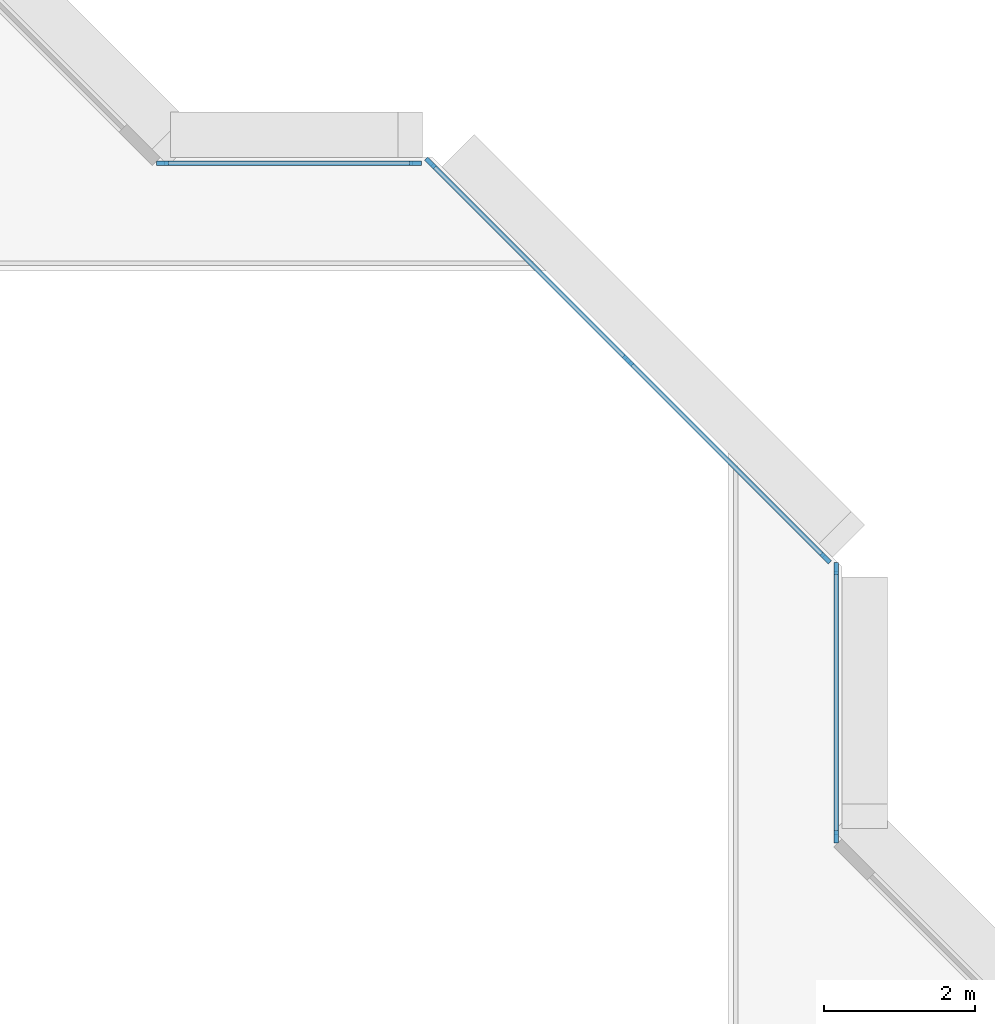
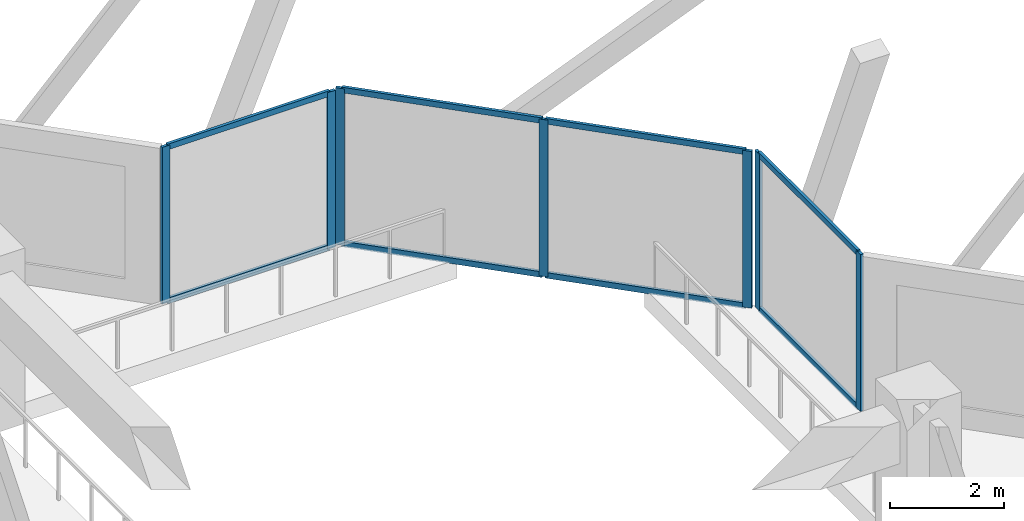
# One storey, part 2 of 15: 15 members, 3 elements without a shape of their own.
"""IFC4 building model written with IfcOpenShell, lengths in metres."""

import ifcopenshell
import ifcopenshell.guid

model = None  # the IFC model being written
_history = None  # IfcOwnerHistory: only IFC2X3 demands one
_inside = {}  # id of a spatial element -> (the spatial element, [elements in it])
_under = {}  # id of a project, library or spatial element -> (it, [spatial elements below it])
_declared = {}  # id of a project -> (the project, [libraries it declares])
_typed = {}  # id of a type object -> (the type object, [elements of that type])
_made_of = {}  # id of a material, layer set ... -> (it, [elements and type objects made of it])


def new_model(schema):
    """Start an empty IFC model of exactly this schema.

    Asked for "IFC4X3", IfcOpenShell would pick the latest addendum, in which some entities
    have other attributes; the version numbers below select the first issue.
    IFC2X3 requires an IfcOwnerHistory on every rooted entity: one is made here for all.
    """
    global model, _history
    if schema == "IFC4X3":
        model = ifcopenshell.file(schema_version=(4, 3, 0, 0))
    else:
        model = ifcopenshell.file(schema=schema)
    _inside.clear()
    _under.clear()
    _declared.clear()
    _typed.clear()
    _made_of.clear()
    _history = None
    if model.schema == "IFC2X3":
        org = make("IfcOrganization", Name="unknown")
        user = make(
            "IfcPersonAndOrganization",
            ThePerson=make("IfcPerson", FamilyName="unknown"),
            TheOrganization=org,
        )
        app = make(
            "IfcApplication",
            ApplicationDeveloper=org,
            Version="unknown",
            ApplicationFullName="unknown",
            ApplicationIdentifier="unknown",
        )
        _history = make(
            "IfcOwnerHistory",
            OwningUser=user,
            OwningApplication=app,
            ChangeAction="ADDED",
            CreationDate=0,
        )
    return model


def make(cls, **values):
    """One entity of the class cls with the attributes given. An attribute that is None is left unset."""
    return model.create_entity(
        cls, **{name: value for name, value in values.items() if value is not None}
    )


def rooted(cls, **values):
    """An entity with a GlobalId (a new one), such as an element, a storey or a relation."""
    return make(cls, GlobalId=ifcopenshell.guid.new(), OwnerHistory=_history, **values)


def si_unit(unit_type, name, prefix=None):
    """IfcSIUnit, for example si_unit("LENGTHUNIT", "METRE", prefix="MILLI")."""
    return make("IfcSIUnit", UnitType=unit_type, Prefix=prefix, Name=name)


def assignment(units):
    """IfcUnitAssignment: the units of a project."""
    return None if units is None else make("IfcUnitAssignment", Units=units)


def point(xyz):
    """IfcCartesianPoint."""
    return None if xyz is None else make("IfcCartesianPoint", Coordinates=xyz)


def direction(xyz):
    """IfcDirection."""
    return None if xyz is None else make("IfcDirection", DirectionRatios=xyz)


def frame(location, z_axis=None, x_axis=None):
    """IfcAxis2Placement3D, a coordinate frame: its origin and axes. An axis left out is left unset."""
    return make(
        "IfcAxis2Placement3D",
        Location=point(location),
        Axis=direction(z_axis),
        RefDirection=direction(x_axis),
    )


def frame_2d(location, x_axis=None):
    """IfcAxis2Placement2D, a coordinate frame in the plane: its origin and x axis."""
    return make(
        "IfcAxis2Placement2D", Location=point(location), RefDirection=direction(x_axis)
    )


def origin():
    """The frame at (0, 0, 0) with its axes left unset."""
    return frame((0.0, 0.0, 0.0))


def origin_2d():
    """The frame at (0, 0) in the plane with its x axis left unset."""
    return frame_2d((0.0, 0.0))


def place(relative_to, where):
    """IfcLocalPlacement: puts the frame where relative to a parent placement (None: the world)."""
    return make(
        "IfcLocalPlacement", PlacementRelTo=relative_to, RelativePlacement=where
    )


def context(
    kind, dimensions, precision=None, world=None, true_north=None, identifier=None
):
    """IfcGeometricRepresentationContext, for example the 3D "Model" context."""
    return make(
        "IfcGeometricRepresentationContext",
        ContextIdentifier=identifier,
        ContextType=kind,
        CoordinateSpaceDimension=dimensions,
        Precision=precision,
        WorldCoordinateSystem=world,
        TrueNorth=true_north,
    )


def subcontext(parent, identifier, kind, view, scale=None):
    """IfcGeometricRepresentationSubContext, for example "Body" below "Model"."""
    return make(
        "IfcGeometricRepresentationSubContext",
        ContextIdentifier=identifier,
        ContextType=kind,
        ParentContext=parent,
        TargetScale=scale,
        TargetView=view,
    )


def project(units=None, contexts=None):
    """IfcProject with its units and contexts."""
    return rooted(
        "IfcProject",
        Name="project",
        RepresentationContexts=contexts,
        UnitsInContext=assignment(units),
    )


def spatial(cls, under=None, at=None, **own):
    """A site, building, storey or space (cls), placed at a placement, below another one or the project."""
    s = rooted(cls, ObjectPlacement=at, **own)
    if under is not None:
        _under.setdefault(under.id(), (under, []))[1].append(s)
    return s


def profile(cls, at=None, kind="AREA", **sizes):
    """A parametric profile (cls). Its sizes go by their IFC names, for example OverallWidth=200.0."""
    return make(cls, ProfileType=kind, Position=at, **sizes)


def rectangle(**sizes):
    """IfcRectangleProfileDef."""
    return profile("IfcRectangleProfileDef", **sizes)


def extrude(swept, where, along, depth):
    """IfcExtrudedAreaSolid: the profile swept, set in the frame where, extruded along a direction by depth."""
    return make(
        "IfcExtrudedAreaSolid",
        SweptArea=swept,
        Position=where,
        ExtrudedDirection=direction(along),
        Depth=depth,
    )


def shape(context_of_items, identifier, shape_type, items):
    """IfcShapeRepresentation: the items that make up one representation, for example the "Body"."""
    return make(
        "IfcShapeRepresentation",
        ContextOfItems=context_of_items,
        RepresentationIdentifier=identifier,
        RepresentationType=shape_type,
        Items=items,
    )


def material(Name=None, Category=None):
    """IfcMaterial."""
    return make("IfcMaterial", Name=Name, Category=Category)


def layer(
    of_material, thickness, ventilated=None, Name=None, Category=None, Priority=None
):
    """IfcMaterialLayer: one layer of a wall or slab, of a material (None: an air gap)."""
    return make(
        "IfcMaterialLayer",
        Material=of_material,
        LayerThickness=thickness,
        IsVentilated=ventilated,
        Name=Name,
        Category=Category,
        Priority=Priority,
    )


def layer_set(layers, Name=None):
    """IfcMaterialLayerSet."""
    return make("IfcMaterialLayerSet", MaterialLayers=layers, LayerSetName=Name)


def material_profile(
    of_material, cross_section, Name=None, Category=None, Priority=None
):
    """IfcMaterialProfile: a cross section and its material."""
    return make(
        "IfcMaterialProfile",
        Name=Name,
        Material=of_material,
        Profile=cross_section,
        Priority=Priority,
        Category=Category,
    )


def profile_set(profiles, Name=None, composite=None):
    """IfcMaterialProfileSet."""
    return make(
        "IfcMaterialProfileSet",
        Name=Name,
        MaterialProfiles=profiles,
        CompositeProfile=composite,
    )


def made_of(thing, what):
    """Note that an element or type object is made of a material, layer set ...; save() writes the relation."""
    if what is not None:
        _made_of.setdefault(what.id(), (what, []))[1].append(thing)
    return thing


def type_object(cls, material=None, **own):
    """A type object (cls), such as IfcWallType, which elements share."""
    return made_of(rooted(cls, **own), material)


def element(
    cls,
    number,
    at=None,
    inside=None,
    cuts=None,
    type_object=None,
    material=None,
    context=None,
    identifier="Body",
    shape_type=None,
    held_by="IfcProductDefinitionShape",
    body=None,
    shapes=None,
    **own,
):
    """One element of the class cls, such as IfcWall. Its Tag is "e" and its number.

    at: its placement. inside: the storey or other place that contains it. cuts: it is an
    opening in that element (IfcRelVoidsElement). A single representation is given by context,
    identifier, shape_type and body (its items); several are given by shapes. held_by: the class
    of the entity that holds the representations. save() writes the other relations.
    """
    e = rooted(cls, Tag="e%d" % number, ObjectPlacement=at, **own)
    if body is not None:
        shapes = [shape(context, identifier, shape_type, body)]
    if shapes is not None:
        e.Representation = make(held_by, Representations=shapes)
    if inside is not None:
        _inside.setdefault(inside.id(), (inside, []))[1].append(e)
    if cuts is not None:
        rooted(
            "IfcRelVoidsElement", RelatingBuildingElement=cuts, RelatedOpeningElement=e
        )
    if type_object is not None:
        _typed.setdefault(type_object.id(), (type_object, []))[1].append(e)
    return made_of(e, material)


def aggregate(whole, parts):
    """IfcRelAggregates: a whole, such as a stair, and the parts it consists of."""
    return rooted("IfcRelAggregates", RelatingObject=whole, RelatedObjects=parts)


def save(model, path):
    """Write the relations noted so far, then the file.

    IfcRelAggregates (storeys below a building ...), IfcRelContainedInSpatialStructure (elements
    in a storey), IfcRelDefinesByType, IfcRelAssociatesMaterial and IfcRelDeclares: one each for
    every whole, place, type object, material and project.
    """
    for whole, parts in _under.values():
        aggregate(whole, parts)
    for where, things in _inside.values():
        rooted(
            "IfcRelContainedInSpatialStructure",
            RelatedElements=things,
            RelatingStructure=where,
        )
    for kind, things in _typed.values():
        rooted("IfcRelDefinesByType", RelatedObjects=things, RelatingType=kind)
    for what, things in _made_of.values():
        rooted("IfcRelAssociatesMaterial", RelatedObjects=things, RelatingMaterial=what)
    for by, libraries in _declared.values():
        rooted("IfcRelDeclares", RelatingContext=by, RelatedDefinitions=libraries)
    model.write(path)


model = new_model("IFC4")

# Units and contexts
model_context = context("Model", 3, precision=1e-05, world=origin(), true_north=direction((0.0, 1.0)))
body_context = subcontext(model_context, "Body", "Model", "MODEL_VIEW")
ifc_project = project(units=[si_unit("LENGTHUNIT", "METRE"), si_unit("AREAUNIT", "SQUARE_METRE"), si_unit("VOLUMEUNIT", "CUBIC_METRE"), si_unit("PLANEANGLEUNIT", "RADIAN"), si_unit("MASSUNIT", "GRAM", prefix="KILO")], contexts=[model_context])

# Site, building, storey
site_placement = place(None, origin())
site = spatial("IfcSite", under=ifc_project, at=site_placement, CompositionType="ELEMENT")
building_placement = place(site_placement, origin())
building = spatial("IfcBuilding", under=site, at=building_placement, Name="Chenar Terraces", CompositionType="ELEMENT")
storey_placement = place(building_placement, frame((0.0, 0.0, 63.89990234375)))
storey = spatial("IfcBuildingStorey", under=building, at=storey_placement, Name="L13", CompositionType="ELEMENT", Elevation=63.89990234375)

# Curtain wall, members
ifc_material_1 = material(Name="Aluminium framed glazing", Category="aluminium")
ifc_layer = layer(ifc_material_1, 0.14990234375)
ifc_layer_set = layer_set([ifc_layer], Name="Aluminium framed glazing")
curtain_wall_type = type_object("IfcCurtainWallType", Name="Atrium curtain wall", PredefinedType="NOTDEFINED", material=ifc_layer_set)
placement = place(storey_placement, origin())
curtain_wall_1 = element("IfcCurtainWall", 1, at=placement, inside=storey, type_object=curtain_wall_type, Name="Atrium curtain wall", PredefinedType="NOTDEFINED")
ifc_material_2 = material(Name="Aluminium", Category="aluminium")
ifc_material_profile_1 = material_profile(ifc_material_2, rectangle(XDim=0.06005859375, YDim=0.159912109375, at=origin_2d()), Name="Atrium glazing mullion 60 x 160")
ifc_profile_set_1 = profile_set([ifc_material_profile_1], Name="Aluminium")
member_type_1 = type_object("IfcMemberType", Name="Atrium glazing mullion 60 x 160", PredefinedType="MULLION", material=ifc_profile_set_1)
member_1_placement = place(storey_placement, frame((37.425048828125, 28.530029296875, 0.0), z_axis=(0.0, 0.0, 1.0), x_axis=(-1.0, 0.0, 0.0)))
member_1 = element("IfcMember", 2, at=member_1_placement, type_object=member_type_1, Name="CW1-1 mullion 1", PredefinedType="MULLION", context=body_context, shape_type="SweptSolid", body=[
    extrude(rectangle(XDim=0.06005859375, YDim=0.159912109375, at=origin_2d()), origin(), (0.0, 0.0, 1.0), 3.35009765625),
])
member_2_placement = place(storey_placement, frame((37.425048828125, 32.070068359375, 0.0), z_axis=(0.0, 0.0, 1.0), x_axis=(-1.0, 0.0, 0.0)))
member_2 = element("IfcMember", 3, at=member_2_placement, type_object=member_type_1, Name="CW1-1 mullion 2", PredefinedType="MULLION", context=body_context, shape_type="SweptSolid", body=[
    extrude(rectangle(XDim=0.06005859375, YDim=0.159912109375, at=origin_2d()), origin(), (0.0, 0.0, 1.0), 3.35009765625),
])

curtain_wall_2 = element("IfcCurtainWall", 4, at=placement, inside=storey, type_object=curtain_wall_type, Name="Atrium curtain wall", PredefinedType="NOTDEFINED")
member_3_placement = place(storey_placement, frame((37.284423828125, 32.209716796875, 0.0), z_axis=(0.0, 0.0, 1.0), x_axis=(-0.707106781187, -0.707106781187, 0.0)))
member_3 = element("IfcMember", 5, at=member_3_placement, type_object=member_type_1, Name="CW1-2 mullion 1", PredefinedType="MULLION", context=body_context, shape_type="SweptSolid", body=[
    extrude(rectangle(XDim=0.06005859375, YDim=0.159912109375, at=origin_2d()), origin(), (0.0, 0.0, 1.0), 3.35009765625),
])
member_4_placement = place(storey_placement, frame((34.67626953125, 34.817626953125, 0.0), z_axis=(0.0, 0.0, 1.0), x_axis=(-0.707106781187, -0.707106781187, 0.0)))
member_4 = element("IfcMember", 6, at=member_4_placement, type_object=member_type_1, Name="CW1-2 mullion 2", PredefinedType="MULLION", context=body_context, shape_type="SweptSolid", body=[
    extrude(rectangle(XDim=0.06005859375, YDim=0.159912109375, at=origin_2d()), origin(), (0.0, 0.0, 1.0), 3.35009765625),
])
member_5_placement = place(storey_placement, frame((32.068115234375, 37.42578125, 0.0), z_axis=(0.0, 0.0, 1.0), x_axis=(-0.707106781187, -0.707106781187, 0.0)))
member_5 = element("IfcMember", 7, at=member_5_placement, type_object=member_type_1, Name="CW1-2 mullion 3", PredefinedType="MULLION", context=body_context, shape_type="SweptSolid", body=[
    extrude(rectangle(XDim=0.06005859375, YDim=0.159912109375, at=origin_2d()), origin(), (0.0, 0.0, 1.0), 3.35009765625),
])

curtain_wall_3 = element("IfcCurtainWall", 8, at=placement, inside=storey, type_object=curtain_wall_type, Name="Atrium curtain wall", PredefinedType="NOTDEFINED")
member_6_placement = place(storey_placement, frame((31.8701171875, 37.425048828125, 0.0), z_axis=(0.0, 0.0, 1.0), x_axis=(0.0, -1.0, 0.0)))
member_6 = element("IfcMember", 9, at=member_6_placement, type_object=member_type_1, Name="CW1-3 mullion 1", PredefinedType="MULLION", context=body_context, shape_type="SweptSolid", body=[
    extrude(rectangle(XDim=0.06005859375, YDim=0.159912109375, at=origin_2d()), origin(), (0.0, 0.0, 1.0), 3.35009765625),
])
member_7_placement = place(storey_placement, frame((28.530029296875, 37.425048828125, 0.0), z_axis=(0.0, 0.0, 1.0), x_axis=(0.0, -1.0, 0.0)))
member_7 = element("IfcMember", 10, at=member_7_placement, type_object=member_type_1, Name="CW1-3 mullion 2", PredefinedType="MULLION", context=body_context, shape_type="SweptSolid", body=[
    extrude(rectangle(XDim=0.06005859375, YDim=0.159912109375, at=origin_2d()), origin(), (0.0, 0.0, 1.0), 3.35009765625),
])

# Member
ifc_material_3 = material(Name="Aluminium", Category="aluminium")
ifc_material_profile_2 = material_profile(ifc_material_3, rectangle(XDim=0.06005859375, YDim=0.1201171875, at=origin_2d()), Name="Atrium glazing transom 60 x 120")
ifc_profile_set_2 = profile_set([ifc_material_profile_2], Name="Aluminium")
member_type_2 = type_object("IfcMemberType", Name="Atrium glazing transom 60 x 120", PredefinedType="USERDEFINED", material=ifc_profile_set_2)
member_8_placement = place(storey_placement, frame((37.425048828125, 28.56005859375, 0.030029296875), z_axis=(0.0, 1.0, 0.0), x_axis=(-1.0, 0.0, 0.0)))
member_8 = element("IfcMember", 11, at=member_8_placement, type_object=member_type_2, Name="CW1-1 transom 1.1", ObjectType="TRANSOM", PredefinedType="USERDEFINED", context=body_context, shape_type="SweptSolid", body=[
    extrude(rectangle(XDim=0.06005859375, YDim=0.1201171875, at=origin_2d()), origin(), (0.0, 0.0, 1.0), 3.47998046875),
])

member_9_placement = place(storey_placement, frame((37.425048828125, 28.56005859375, 3.320068359375), z_axis=(0.0, 1.0, 0.0), x_axis=(-1.0, 0.0, 0.0)))
member_9 = element("IfcMember", 12, at=member_9_placement, type_object=member_type_2, Name="CW1-1 transom 1.2", ObjectType="TRANSOM", PredefinedType="USERDEFINED", context=body_context, shape_type="SweptSolid", body=[
    extrude(rectangle(XDim=0.06005859375, YDim=0.1201171875, at=origin_2d()), origin(), (0.0, 0.0, 1.0), 3.47998046875),
])

aggregate(curtain_wall_1, [member_1, member_2, member_8, member_9])

member_10_placement = place(storey_placement, frame((37.26318359375, 32.230712890625, 0.030029296875), z_axis=(-0.707106781187, 0.707106781187, 0.0), x_axis=(-0.707106781187, -0.707106781187, 0.0)))
member_10 = element("IfcMember", 13, at=member_10_placement, type_object=member_type_2, Name="CW1-2 transom 1.1", ObjectType="TRANSOM", PredefinedType="USERDEFINED", context=body_context, shape_type="SweptSolid", body=[
    extrude(rectangle(XDim=0.06005859375, YDim=0.1201171875, at=origin_2d()), origin(), (0.0, 0.0, 1.0), 3.62841796875),
])

member_11_placement = place(storey_placement, frame((37.26318359375, 32.230712890625, 3.320068359375), z_axis=(-0.707106781187, 0.707106781187, 0.0), x_axis=(-0.707106781187, -0.707106781187, 0.0)))
member_11 = element("IfcMember", 14, at=member_11_placement, type_object=member_type_2, Name="CW1-2 transom 1.2", ObjectType="TRANSOM", PredefinedType="USERDEFINED", context=body_context, shape_type="SweptSolid", body=[
    extrude(rectangle(XDim=0.06005859375, YDim=0.1201171875, at=origin_2d()), origin(), (0.0, 0.0, 1.0), 3.62841796875),
])

member_12_placement = place(storey_placement, frame((34.655029296875, 34.8388671875, 0.030029296875), z_axis=(-0.707106781187, 0.707106781187, 0.0), x_axis=(-0.707106781187, -0.707106781187, 0.0)))
member_12 = element("IfcMember", 15, at=member_12_placement, type_object=member_type_2, Name="CW1-2 transom 2.1", ObjectType="TRANSOM", PredefinedType="USERDEFINED", context=body_context, shape_type="SweptSolid", body=[
    extrude(rectangle(XDim=0.06005859375, YDim=0.1201171875, at=origin_2d()), origin(), (0.0, 0.0, 1.0), 3.62841796875),
])

member_13_placement = place(storey_placement, frame((34.655029296875, 34.8388671875, 3.320068359375), z_axis=(-0.707106781187, 0.707106781187, 0.0), x_axis=(-0.707106781187, -0.707106781187, 0.0)))
member_13 = element("IfcMember", 16, at=member_13_placement, type_object=member_type_2, Name="CW1-2 transom 2.2", ObjectType="TRANSOM", PredefinedType="USERDEFINED", context=body_context, shape_type="SweptSolid", body=[
    extrude(rectangle(XDim=0.06005859375, YDim=0.1201171875, at=origin_2d()), origin(), (0.0, 0.0, 1.0), 3.62841796875),
])

aggregate(curtain_wall_2, [member_3, member_4, member_5, member_10, member_11, member_12, member_13])

member_14_placement = place(storey_placement, frame((31.840087890625, 37.425048828125, 0.030029296875), z_axis=(-1.0, 0.0, 0.0), x_axis=(0.0, -1.0, 0.0)))
member_14 = element("IfcMember", 17, at=member_14_placement, type_object=member_type_2, Name="CW1-3 transom 1.1", ObjectType="TRANSOM", PredefinedType="USERDEFINED", context=body_context, shape_type="SweptSolid", body=[
    extrude(rectangle(XDim=0.06005859375, YDim=0.1201171875, at=origin_2d()), origin(), (0.0, 0.0, 1.0), 3.280029296875),
])

member_15_placement = place(storey_placement, frame((31.840087890625, 37.425048828125, 3.320068359375), z_axis=(-1.0, 0.0, 0.0), x_axis=(0.0, -1.0, 0.0)))
member_15 = element("IfcMember", 18, at=member_15_placement, type_object=member_type_2, Name="CW1-3 transom 1.2", ObjectType="TRANSOM", PredefinedType="USERDEFINED", context=body_context, shape_type="SweptSolid", body=[
    extrude(rectangle(XDim=0.06005859375, YDim=0.1201171875, at=origin_2d()), origin(), (0.0, 0.0, 1.0), 3.280029296875),
])

aggregate(curtain_wall_3, [member_6, member_7, member_14, member_15])

save(model, "model.ifc")
